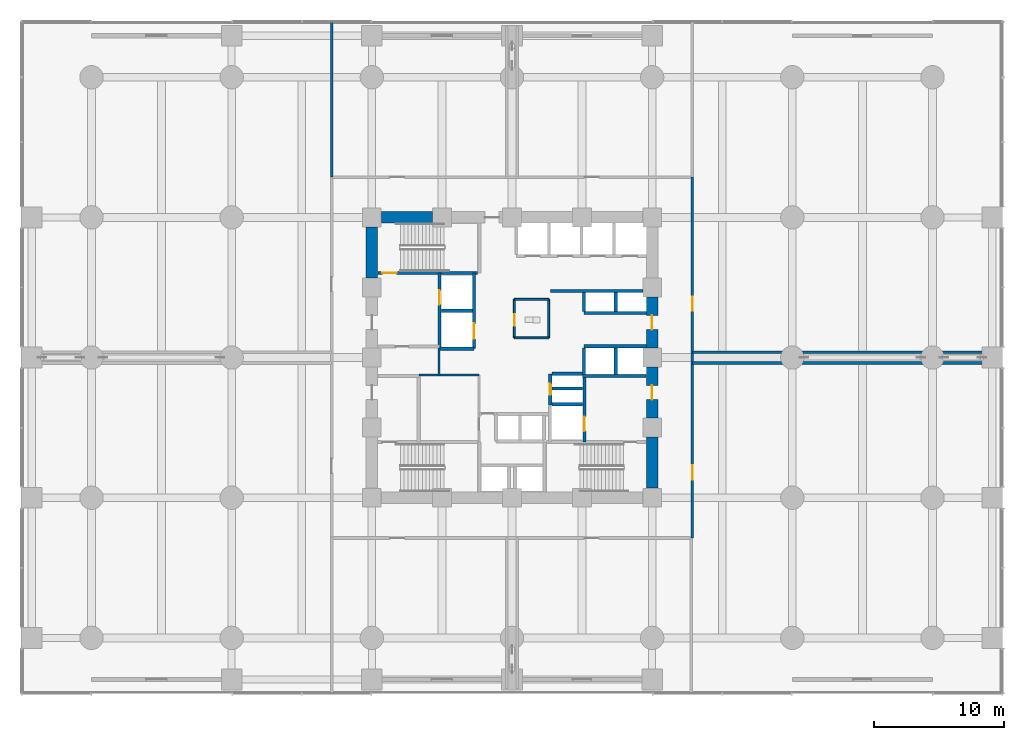
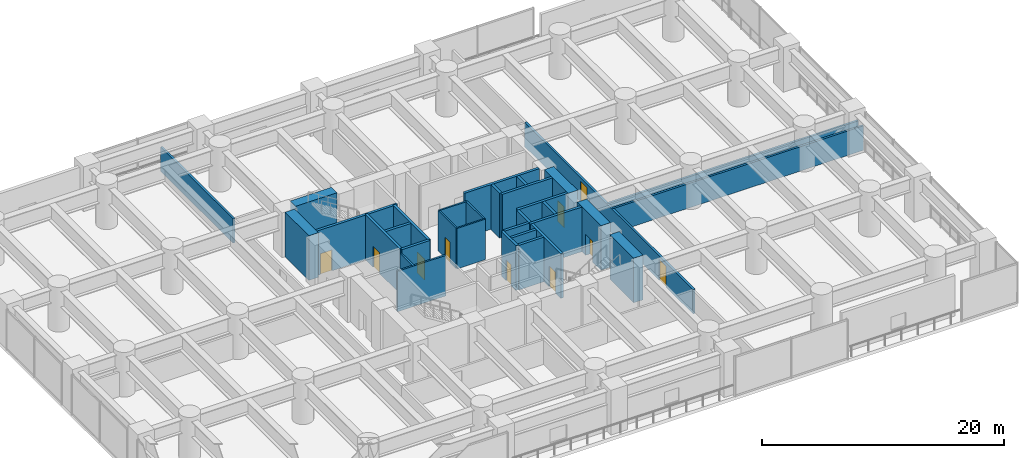
# One storey, part 30 of 37: 33 walls, 10 doors, 10 openings.
"""IFC4 building model written with IfcOpenShell, lengths in metres."""

from ifc_helpers import new_model, si_unit, direction, frame, frame_2d, origin, place, context, subcontext, project, spatial, rectangle, extrude, material, layer, layer_set, type_object, element, fill, save


model = new_model("IFC4")

# Units and contexts
model_context = context("Model", 3, precision=1e-05, world=origin(), true_north=direction((0.0, 1.0)))
body_context = subcontext(model_context, "Body", "Model", "MODEL_VIEW")
ifc_project = project(units=[si_unit("LENGTHUNIT", "METRE"), si_unit("AREAUNIT", "SQUARE_METRE"), si_unit("VOLUMEUNIT", "CUBIC_METRE"), si_unit("PLANEANGLEUNIT", "RADIAN"), si_unit("MASSUNIT", "GRAM", prefix="KILO")], contexts=[model_context])

# Site, building, storey
site_placement = place(None, origin())
site = spatial("IfcSite", under=ifc_project, at=site_placement, CompositionType="ELEMENT")
building_placement = place(site_placement, origin())
building = spatial("IfcBuilding", under=site, at=building_placement, Name="Surkhivell Harbour Commons", CompositionType="ELEMENT")
storey_placement = place(building_placement, frame((0.0, 0.0, 18.0)))
storey = spatial("IfcBuildingStorey", under=building, at=storey_placement, Name="L04", CompositionType="ELEMENT", Elevation=18.0)

# Walls
ifc_material_1 = material(Name="Concrete C80/95", Category="concrete")
ifc_layer_1 = layer(ifc_material_1, 0.89990234375)
ifc_layer_set_1 = layer_set([ifc_layer_1], Name="Concrete C80/95")
wall_type_1 = type_object("IfcWallType", Name="WAL-CORE-900", PredefinedType="SHEAR", material=ifc_layer_set_1)
for number, where, z_axis, x_axis, name in (
    (1, (-10.06494140625, 10.800048828125, 0.0), (0.0, 0.0, 1.0), (1.0, 0.0, 0.0), "L04 Core Shear Wall North 1"),
    (2, (10.800048828125, -10.06494140625, 0.0), (0.0, 0.0, 1.0), (0.0, 1.0, 0.0), "L04 Core Shear Wall East 1"),
):
    element("IfcWall", number, at=place(storey_placement, frame(where, z_axis=z_axis, x_axis=x_axis)), inside=storey, type_object=wall_type_1, Name=name, PredefinedType="SHEAR", context=body_context, shape_type="SweptSolid", body=[
        extrude(rectangle(XDim=3.929931640625, YDim=0.89990234375, at=frame_2d((1.96484375, 0.0))), origin(), (0.0, 0.0, 1.0), 4.5),
    ])

# Wall, opening, door
wall_1_placement = place(storey_placement, frame((10.800048828125, -4.6650390625, 0.0), z_axis=(0.0, 0.0, 1.0), x_axis=(0.0, 1.0, 0.0)))
wall_1 = element("IfcWall", 3, at=wall_1_placement, inside=storey, type_object=wall_type_1, Name="L04 Core Shear Wall East 2", PredefinedType="SHEAR", context=body_context, shape_type="SweptSolid", body=[
    extrude(rectangle(XDim=3.929931640625, YDim=0.89990234375, at=frame_2d((1.96484375, 0.0))), origin(), (0.0, 0.0, 1.0), 4.5),
])
opening_1_placement = place(wall_1_placement, frame((1.4150390625, 0.0, 0.0)))
opening_1 = element("IfcOpeningElement", 4, at=opening_1_placement, cuts=wall_1, Name="Opening ID-1", PredefinedType="OPENING", context=body_context, shape_type="SweptSolid", body=[
    extrude(rectangle(XDim=1.10009765625, YDim=2.10009765625, at=frame_2d((0.550048828125, 1.050048828125))), frame((0.0, 0.4599609375, 0.0), z_axis=(0.0, -1.0, 0.0), x_axis=(1.0, 0.0, 0.0)), (0.0, 0.0, 1.0), 0.919921875),
])
ifc_material_2 = material(Name="Hardwood-veneered fire-rated door leaf", Category="wood")
door_type_1 = type_object("IfcDoorType", Name="DOR-FD120-1100", OperationType="NOTDEFINED", PredefinedType="DOOR", material=ifc_material_2)
door_1_placement = place(opening_1_placement, origin())
door_1 = element("IfcDoor", 5, at=door_1_placement, inside=storey, type_object=door_type_1, Name="L04 Firefighting Lobby 2 Corridor Door", OperationType="SINGLE_SWING_RIGHT", OverallHeight=2.10009765625, OverallWidth=1.10009765625, PredefinedType="DOOR", context=body_context, shape_type="SweptSolid", body=[
    extrude(rectangle(XDim=1.10009765625, YDim=2.10009765625, at=frame_2d((0.550048828125, 1.050048828125))), frame((0.0, 0.02490234375, 0.0), z_axis=(0.0, -1.0, 0.0), x_axis=(1.0, 0.0, 0.0)), (0.0, 0.0, 1.0), 0.050048828125),
])
fill(opening_1, door_1)

wall_2_placement = place(storey_placement, frame((10.800048828125, 0.735107421875, 0.0), z_axis=(0.0, 0.0, 1.0), x_axis=(0.0, 1.0, 0.0)))
wall_2 = element("IfcWall", 6, at=wall_2_placement, inside=storey, type_object=wall_type_1, Name="L04 Core Shear Wall East 3", PredefinedType="SHEAR", context=body_context, shape_type="SweptSolid", body=[
    extrude(rectangle(XDim=3.929931640625, YDim=0.89990234375, at=frame_2d((1.96484375, 0.0))), origin(), (0.0, 0.0, 1.0), 4.5),
])
opening_2_placement = place(wall_2_placement, frame((1.4150390625, 0.0, 0.0)))
opening_2 = element("IfcOpeningElement", 7, at=opening_2_placement, cuts=wall_2, Name="Opening ID-2", PredefinedType="OPENING", context=body_context, shape_type="SweptSolid", body=[
    extrude(rectangle(XDim=1.10009765625, YDim=2.10009765625, at=frame_2d((0.550048828125, 1.050048828125))), frame((0.0, 0.4599609375, 0.0), z_axis=(0.0, -1.0, 0.0), x_axis=(1.0, 0.0, 0.0)), (0.0, 0.0, 1.0), 0.919921875),
])
door_type_2 = type_object("IfcDoorType", Name="DOR-FD60-1100", OperationType="NOTDEFINED", PredefinedType="DOOR", material=ifc_material_2)
door_2_placement = place(opening_2_placement, origin())
door_2 = element("IfcDoor", 8, at=door_2_placement, inside=storey, type_object=door_type_2, Name="L04 Mid-Rise Lobby East Door", OperationType="SINGLE_SWING_LEFT", OverallHeight=2.10009765625, OverallWidth=1.10009765625, PredefinedType="DOOR", context=body_context, shape_type="SweptSolid", body=[
    extrude(rectangle(XDim=1.10009765625, YDim=2.10009765625, at=frame_2d((0.550048828125, 1.050048828125))), frame((0.0, 0.02490234375, 0.0), z_axis=(0.0, -1.0, 0.0), x_axis=(1.0, 0.0, 0.0)), (0.0, 0.0, 1.0), 0.050048828125),
])
fill(opening_2, door_2)

# Walls
wall_3_placement = place(storey_placement, frame((-10.800048828125, 6.135009765625, 0.0), z_axis=(0.0, 0.0, 1.0), x_axis=(0.0, 1.0, 0.0)))
element("IfcWall", 9, at=wall_3_placement, inside=storey, type_object=wall_type_1, Name="L04 Core Shear Wall West 4", PredefinedType="SHEAR", context=body_context, shape_type="SweptSolid", body=[
    extrude(rectangle(XDim=3.929931640625, YDim=0.89990234375, at=frame_2d((1.96484375, 0.0))), origin(), (0.0, 0.0, 1.0), 4.5),
])
ifc_material_3 = material(Name="Twin-stud acoustic fireboard partition", Category="other")
ifc_layer_2 = layer(ifc_material_3, 0.14990234375)
ifc_layer_set_2 = layer_set([ifc_layer_2], Name="Twin-stud acoustic fireboard partition")
wall_type_2 = type_object("IfcWallType", Name="WAL-INT-150", PredefinedType="PARTITIONING", material=ifc_layer_set_2)
wall_4_placement = place(storey_placement, frame((2.820068359375, 1.52001953125, 0.0), z_axis=(0.0, 0.0, 1.0), x_axis=(0.0, 1.0, 0.0)))
element("IfcWall", 10, at=wall_4_placement, inside=storey, type_object=wall_type_2, Name="L04 Core Accessible WC East Wall", PredefinedType="PARTITIONING", context=body_context, shape_type="SweptSolid", body=[
    extrude(rectangle(XDim=2.9599609375, YDim=0.14990234375, at=frame_2d((1.47998046875, 0.0))), origin(), (0.0, 0.0, 1.0), 4.080078125),
])
for number, where, z_axis, x_axis, name in (
    (11, (0.179931640625, 4.47998046875, 0.0), (0.0, 0.0, 1.0), (1.0, 0.0, 0.0), "L04 Core Accessible WC North Wall"),
    (12, (0.179931640625, 1.52001953125, 0.0), (0.0, 0.0, 1.0), (1.0, 0.0, 0.0), "L04 Core Accessible WC South Wall"),
):
    element("IfcWall", number, at=place(storey_placement, frame(where, z_axis=z_axis, x_axis=x_axis)), inside=storey, type_object=wall_type_2, Name=name, PredefinedType="PARTITIONING", context=body_context, shape_type="SweptSolid", body=[
        extrude(rectangle(XDim=2.670166015625, YDim=0.14990234375, at=frame_2d((1.3349609375, 0.0))), origin(), (0.0, 0.0, 1.0), 4.080078125),
    ])

# Wall, opening, door
wall_5_placement = place(storey_placement, frame((0.179931640625, 1.52001953125, 0.0), z_axis=(0.0, 0.0, 1.0), x_axis=(0.0, 1.0, 0.0)))
wall_5 = element("IfcWall", 13, at=wall_5_placement, inside=storey, type_object=wall_type_2, Name="L04 Core Accessible WC West Wall", PredefinedType="PARTITIONING", context=body_context, shape_type="SweptSolid", body=[
    extrude(rectangle(XDim=2.9599609375, YDim=0.14990234375, at=frame_2d((1.47998046875, 0.0))), origin(), (0.0, 0.0, 1.0), 4.080078125),
])
opening_3_placement = place(wall_5_placement, frame((0.949951171875, 0.0, 0.0)))
opening_3 = element("IfcOpeningElement", 14, at=opening_3_placement, cuts=wall_5, Name="Opening ID-6", PredefinedType="OPENING", context=body_context, shape_type="SweptSolid", body=[
    extrude(rectangle(XDim=0.85009765625, YDim=2.10009765625, at=frame_2d((0.425048828125, 1.050048828125))), frame((0.0, 0.0849609375, 0.0), z_axis=(0.0, -1.0, 0.0), x_axis=(1.0, 0.0, 0.0)), (0.0, 0.0, 1.0), 0.169921875),
])
door_type_3 = type_object("IfcDoorType", Name="DOR-FD30-850", OperationType="NOTDEFINED", PredefinedType="DOOR", material=ifc_material_2)
door_3_placement = place(opening_3_placement, origin())
door_3 = element("IfcDoor", 15, at=door_3_placement, inside=storey, type_object=door_type_3, Name="L04 Floor Accessible WC Door", OperationType="SINGLE_SWING_RIGHT", OverallHeight=2.10009765625, OverallWidth=0.85009765625, PredefinedType="DOOR", context=body_context, shape_type="SweptSolid", body=[
    extrude(rectangle(XDim=0.85009765625, YDim=2.10009765625, at=frame_2d((0.425048828125, 1.050048828125))), frame((0.0, 0.02490234375, 0.0), z_axis=(0.0, -1.0, 0.0), x_axis=(1.0, 0.0, 0.0)), (0.0, 0.0, 1.0), 0.050048828125),
])
fill(opening_3, door_3)

# Walls
ifc_material_4 = material(Name="High-density acoustic blockwork fire partition", Category="masonry")
ifc_layer_3 = layer(ifc_material_4, 0.175048828125)
ifc_layer_set_3 = layer_set([ifc_layer_3], Name="High-density acoustic blockwork fire partition")
wall_type_3 = type_object("IfcWallType", Name="WAL-INT-175", PredefinedType="PARTITIONING", material=ifc_layer_set_3)
wall_6_placement = place(storey_placement, frame((-7.179931640625, -1.35009765625, 0.0), z_axis=(0.0, 0.0, 1.0), x_axis=(1.0, 0.0, 0.0)))
element("IfcWall", 16, at=wall_6_placement, inside=storey, type_object=wall_type_3, Name="L04 Core Service Bay North Wall", PredefinedType="PARTITIONING", context=body_context, shape_type="SweptSolid", body=[
    extrude(rectangle(XDim=4.6298828125, YDim=0.175048828125, at=frame_2d((2.31494140625, 0.0))), origin(), (0.0, 0.0, 1.0), 4.080078125),
])
wall_7_placement = place(storey_placement, frame((-5.6201171875, -1.419921875, 0.0), z_axis=(0.0, 0.0, 1.0), x_axis=(0.0, 1.0, 0.0)))
element("IfcWall", 17, at=wall_7_placement, inside=storey, type_object=wall_type_3, Name="L04 West Core Bay East Wall", PredefinedType="PARTITIONING", context=body_context, shape_type="SweptSolid", body=[
    extrude(rectangle(XDim=2.139892578125, YDim=0.175048828125, at=frame_2d((1.06982421875, 0.0))), origin(), (0.0, 0.0, 1.0), 4.080078125),
])
ifc_material_5 = material(Name="Autoclaved aerated concrete blockwork and fire plaster", Category="masonry")
ifc_layer_4 = layer(ifc_material_5, 0.199951171875)
ifc_layer_set_4 = layer_set([ifc_layer_4], Name="Autoclaved aerated concrete blockwork and fire plaster")
wall_type_4 = type_object("IfcWallType", Name="WAL-INT-200", PredefinedType="PARTITIONING", material=ifc_layer_set_4)
for number, where, z_axis, x_axis, name in (
    (18, (13.89990234375, 0.419921875, 0.0), (0.0, 0.0, 1.0), (1.0, 0.0, 0.0), "L04 Transfer Truss East Casing Wall"),
    (19, (13.89990234375, -0.419921875, 0.0), (0.0, 0.0, 1.0), (1.0, 0.0, 0.0), "L04 Transfer Truss East Casing Wall"),
):
    element("IfcWall", number, at=place(storey_placement, frame(where, z_axis=z_axis, x_axis=x_axis)), inside=storey, type_object=wall_type_4, Name=name, PredefinedType="PARTITIONING", context=body_context, shape_type="SweptSolid", body=[
        extrude(rectangle(XDim=23.860107421875, YDim=0.199951171875, at=frame_2d((11.93017578125, 0.0))), origin(), (0.0, 0.0, 1.0), 2.4599609375),
    ])

# Wall, openings, doors
wall_8_placement = place(storey_placement, frame((13.89990234375, -13.89990234375, 0.0), z_axis=(0.0, 0.0, 1.0), x_axis=(0.0, 1.0, 0.0)))
wall_8 = element("IfcWall", 20, at=wall_8_placement, inside=storey, type_object=wall_type_4, Name="L04 Corridor East Wall", PredefinedType="PARTITIONING", context=body_context, shape_type="SweptSolid", body=[
    extrude(rectangle(XDim=27.7998046875, YDim=0.199951171875, at=frame_2d((13.89990234375, 0.0))), origin(), (0.0, 0.0, 1.0), 2.4599609375),
])
opening_4_placement = place(wall_8_placement, frame((17.5, 0.0, 0.0)))
opening_4 = element("IfcOpeningElement", 21, at=opening_4_placement, cuts=wall_8, Name="Opening ID-2", PredefinedType="OPENING", context=body_context, shape_type="SweptSolid", body=[
    extrude(rectangle(XDim=1.10009765625, YDim=2.10009765625, at=frame_2d((0.550048828125, 1.050048828125))), frame((0.0, 0.10986328125, 0.0), z_axis=(0.0, -1.0, 0.0), x_axis=(1.0, 0.0, 0.0)), (0.0, 0.0, 1.0), 0.219970703125),
])
opening_5_placement = place(wall_8_placement, frame((4.5, 0.0, 0.0)))
opening_5 = element("IfcOpeningElement", 22, at=opening_5_placement, cuts=wall_8, Name="Opening ID-2", PredefinedType="OPENING", context=body_context, shape_type="SweptSolid", body=[
    extrude(rectangle(XDim=1.10009765625, YDim=2.10009765625, at=frame_2d((0.550048828125, 1.050048828125))), frame((0.0, 0.10986328125, 0.0), z_axis=(0.0, -1.0, 0.0), x_axis=(1.0, 0.0, 0.0)), (0.0, 0.0, 1.0), 0.219970703125),
])
door_4_placement = place(opening_4_placement, origin())
door_4 = element("IfcDoor", 23, at=door_4_placement, inside=storey, type_object=door_type_2, Name="L04 East-Upper Electrical Plant Gallery Door", OperationType="SINGLE_SWING_RIGHT", OverallHeight=2.10009765625, OverallWidth=1.10009765625, PredefinedType="DOOR", context=body_context, shape_type="SweptSolid", body=[
    extrude(rectangle(XDim=1.10009765625, YDim=2.10009765625, at=frame_2d((0.550048828125, 1.050048828125))), frame((0.0, 0.02490234375, 0.0), z_axis=(0.0, -1.0, 0.0), x_axis=(1.0, 0.0, 0.0)), (0.0, 0.0, 1.0), 0.050048828125),
])
fill(opening_4, door_4)
door_5_placement = place(opening_5_placement, origin())
door_5 = element("IfcDoor", 24, at=door_5_placement, inside=storey, type_object=door_type_2, Name="L04 East-Lower Electrical Plant Gallery Door", OperationType="SINGLE_SWING_LEFT", OverallHeight=2.10009765625, OverallWidth=1.10009765625, PredefinedType="DOOR", context=body_context, shape_type="SweptSolid", body=[
    extrude(rectangle(XDim=1.10009765625, YDim=2.10009765625, at=frame_2d((0.550048828125, 1.050048828125))), frame((0.0, 0.02490234375, 0.0), z_axis=(0.0, -1.0, 0.0), x_axis=(1.0, 0.0, 0.0)), (0.0, 0.0, 1.0), 0.050048828125),
])
fill(opening_5, door_5)

# Wall
wall_9_placement = place(storey_placement, frame((-13.89990234375, 13.89990234375, 0.0), z_axis=(0.0, 0.0, 1.0), x_axis=(0.0, 1.0, 0.0)))
element("IfcWall", 25, at=wall_9_placement, inside=storey, type_object=wall_type_4, Name="L04 Corner NW Divider", PredefinedType="PARTITIONING", context=body_context, shape_type="SweptSolid", body=[
    extrude(rectangle(XDim=11.960205078125, YDim=0.199951171875, at=frame_2d((5.97998046875, 0.0))), origin(), (0.0, 0.0, 1.0), 2.4599609375),
])

# Wall, opening, door
ifc_material_6 = material(Name="Concrete C50/60", Category="concrete")
ifc_layer_5 = layer(ifc_material_6, 0.25)
ifc_layer_set_5 = layer_set([ifc_layer_5], Name="Concrete C50/60")
wall_type_5 = type_object("IfcWallType", Name="WAL-SHAFT-250", PredefinedType="SHEAR", material=ifc_layer_set_5)
wall_10_placement = place(storey_placement, frame((-5.580078125, 0.719970703125, 0.0), z_axis=(0.0, 0.0, 1.0), x_axis=(0.0, 1.0, 0.0)))
wall_10 = element("IfcWall", 26, at=wall_10_placement, inside=storey, type_object=wall_type_5, Name="L04 Firefighting Lobby 1 East Shaft Wall", PredefinedType="SHEAR", context=body_context, shape_type="SweptSolid", body=[
    extrude(rectangle(XDim=5.7900390625, YDim=0.25, at=frame_2d((2.89501953125, 0.0))), origin(), (0.0, 0.0, 1.0), 4.5),
])
opening_6_placement = place(wall_10_placement, frame((3.35009765625, 0.0, 0.0)))
opening_6 = element("IfcOpeningElement", 27, at=opening_6_placement, cuts=wall_10, Name="Opening LD-1", PredefinedType="OPENING", context=body_context, shape_type="SweptSolid", body=[
    extrude(rectangle(XDim=1.10009765625, YDim=2.10009765625, at=frame_2d((0.550048828125, 1.050048828125))), frame((0.0, 0.135009765625, 0.0), z_axis=(0.0, -1.0, 0.0), x_axis=(1.0, 0.0, 0.0)), (0.0, 0.0, 1.0), 0.27001953125),
])
ifc_material_7 = material(Name="Brushed stainless steel S355", Category="steel")
door_type_4 = type_object("IfcDoorType", Name="DOR-LD-1100", OperationType="SLIDING_TO_LEFT", PredefinedType="DOOR", material=ifc_material_7)
door_6_placement = place(opening_6_placement, origin())
door_6 = element("IfcDoor", 28, at=door_6_placement, inside=storey, type_object=door_type_4, Name="L04 Lift Landing Door LD-FFL1", OperationType="SLIDING_TO_LEFT", OverallHeight=2.10009765625, OverallWidth=1.10009765625, PredefinedType="DOOR", context=body_context, shape_type="SweptSolid", body=[
    extrude(rectangle(XDim=1.10009765625, YDim=2.10009765625, at=frame_2d((0.550048828125, 1.050048828125))), frame((0.0, 0.02490234375, 0.0), z_axis=(0.0, -1.0, 0.0), x_axis=(1.0, 0.0, 0.0)), (0.0, 0.0, 1.0), 0.050048828125),
])
fill(opening_6, door_6)

# Walls
wall_11_placement = place(storey_placement, frame((5.43994140625, -1.419921875, 0.0), z_axis=(0.0, 0.0, 1.0), x_axis=(1.0, 0.0, 0.0)))
element("IfcWall", 29, at=wall_11_placement, inside=storey, type_object=wall_type_5, Name="L04 Firefighting Lobby 2 North Wall", PredefinedType="SHEAR", context=body_context, shape_type="SweptSolid", body=[
    extrude(rectangle(XDim=4.900146484375, YDim=0.25, at=frame_2d((2.4501953125, 0.0))), origin(), (0.0, 0.0, 1.0), 4.5),
])
wall_12_placement = place(storey_placement, frame((3.080078125, -3.60009765625, 0.0), z_axis=(0.0, 0.0, 1.0), x_axis=(1.0, 0.0, 0.0)))
element("IfcWall", 30, at=wall_12_placement, inside=storey, type_object=wall_type_5, Name="L04 FFL2 North Shaft Wall", PredefinedType="SHEAR", context=body_context, shape_type="SweptSolid", body=[
    extrude(rectangle(XDim=2.369873046875, YDim=0.25, at=frame_2d((1.18505859375, 0.0))), origin(), (0.0, 0.0, 1.0), 4.5),
])

# Wall, opening, door
wall_13_placement = place(storey_placement, frame((5.580078125, -6.510009765625, 0.0), z_axis=(0.0, 0.0, 1.0), x_axis=(0.0, 1.0, 0.0)))
wall_13 = element("IfcWall", 31, at=wall_13_placement, inside=storey, type_object=wall_type_5, Name="L04 Firefighting Lobby 2 West Shaft Wall", PredefinedType="SHEAR", context=body_context, shape_type="SweptSolid", body=[
    extrude(rectangle(XDim=5.090087890625, YDim=0.25, at=frame_2d((2.544921875, 0.0))), origin(), (0.0, 0.0, 1.0), 4.5),
])
opening_7_placement = place(wall_13_placement, frame((0.85009765625, 0.0, 0.0)))
opening_7 = element("IfcOpeningElement", 32, at=opening_7_placement, cuts=wall_13, Name="Opening LD-1", PredefinedType="OPENING", context=body_context, shape_type="SweptSolid", body=[
    extrude(rectangle(XDim=1.10009765625, YDim=2.10009765625, at=frame_2d((0.550048828125, 1.050048828125))), frame((0.0, 0.135009765625, 0.0), z_axis=(0.0, -1.0, 0.0), x_axis=(1.0, 0.0, 0.0)), (0.0, 0.0, 1.0), 0.27001953125),
])
door_7_placement = place(opening_7_placement, origin())
door_7 = element("IfcDoor", 33, at=door_7_placement, inside=storey, type_object=door_type_4, Name="L04 Lift Landing Door LD-FFL2", OperationType="SLIDING_TO_RIGHT", OverallHeight=2.10009765625, OverallWidth=1.10009765625, PredefinedType="DOOR", context=body_context, shape_type="SweptSolid", body=[
    extrude(rectangle(XDim=1.10009765625, YDim=2.10009765625, at=frame_2d((0.550048828125, 1.050048828125))), frame((0.0, 0.02490234375, 0.0), z_axis=(0.0, -1.0, 0.0), x_axis=(1.0, 0.0, 0.0)), (0.0, 0.0, 1.0), 0.050048828125),
])
fill(opening_7, door_7)

# Walls
wall_14_placement = place(storey_placement, frame((2.949951171875, 5.1201171875, 0.0), z_axis=(0.0, 0.0, 1.0), x_axis=(1.0, 0.0, 0.0)))
element("IfcWall", 34, at=wall_14_placement, inside=storey, type_object=wall_type_5, Name="L04 Low-Rise Lobby South Wall", PredefinedType="SHEAR", context=body_context, shape_type="SweptSolid", body=[
    extrude(rectangle(XDim=7.125, YDim=0.25, at=frame_2d((3.5625, 0.0))), origin(), (0.0, 0.0, 1.0), 4.5),
])
for number, where, z_axis, x_axis, name in (
    (35, (5.550048828125, 3.550048828125, 0.0), (0.0, 0.0, 1.0), (0.0, 1.0, 0.0), "L04 Mid-Rise Shaft Side Wall N"),
    (36, (8.0, 3.550048828125, 0.0), (0.0, 0.0, 1.0), (0.0, 1.0, 0.0), "L04 Mid-Rise Shaft Side Wall N"),
):
    element("IfcWall", number, at=place(storey_placement, frame(where, z_axis=z_axis, x_axis=x_axis)), inside=storey, type_object=wall_type_5, Name=name, PredefinedType="SHEAR", context=body_context, shape_type="SweptSolid", body=[
        extrude(rectangle(XDim=1.449951171875, YDim=0.25, at=frame_2d((0.72509765625, 0.0))), origin(), (0.0, 0.0, 1.0), 4.5),
    ])
for number, where, z_axis, x_axis, name in (
    (37, (5.550048828125, -1.300048828125, 0.0), (0.0, 0.0, 1.0), (0.0, 1.0, 0.0), "L04 Mid-Rise Shaft Side Wall S"),
    (38, (8.0, -1.300048828125, 0.0), (0.0, 0.0, 1.0), (0.0, 1.0, 0.0), "L04 Mid-Rise Shaft Side Wall S"),
):
    element("IfcWall", number, at=place(storey_placement, frame(where, z_axis=z_axis, x_axis=x_axis)), inside=storey, type_object=wall_type_5, Name=name, PredefinedType="SHEAR", context=body_context, shape_type="SweptSolid", body=[
        extrude(rectangle(XDim=2.0400390625, YDim=0.25, at=frame_2d((1.02001953125, 0.0))), origin(), (0.0, 0.0, 1.0), 4.5),
    ])
for number, where, z_axis, x_axis, name in (
    (39, (5.550048828125, 3.429931640625, 0.0), (0.0, 0.0, 1.0), (1.0, 0.0, 0.0), "L04 Mid-Rise North Front Shaft Wall"),
    (40, (5.550048828125, 0.8701171875, 0.0), (0.0, 0.0, 1.0), (1.0, 0.0, 0.0), "L04 Mid-Rise South Front Shaft Wall"),
):
    element("IfcWall", number, at=place(storey_placement, frame(where, z_axis=z_axis, x_axis=x_axis)), inside=storey, type_object=wall_type_5, Name=name, PredefinedType="SHEAR", context=body_context, shape_type="SweptSolid", body=[
        extrude(rectangle(XDim=4.800048828125, YDim=0.25, at=frame_2d((2.39990234375, 0.0))), origin(), (0.0, 0.0, 1.0), 4.5),
    ])
for number, where, z_axis, x_axis, name in (
    (41, (3.080078125, -2.3798828125, 0.0), (0.0, 0.0, 1.0), (1.0, 0.0, 0.0), "L04 Riser Divider Wall"),
    (42, (3.080078125, -1.25, 0.0), (0.0, 0.0, 1.0), (1.0, 0.0, 0.0), "L04 Riser North Wall"),
):
    element("IfcWall", number, at=place(storey_placement, frame(where, z_axis=z_axis, x_axis=x_axis)), inside=storey, type_object=wall_type_5, Name=name, PredefinedType="SHEAR", context=body_context, shape_type="SweptSolid", body=[
        extrude(rectangle(XDim=2.369873046875, YDim=0.25, at=frame_2d((1.18505859375, 0.0))), origin(), (0.0, 0.0, 1.0), 4.5),
    ])

# Wall, opening, door
wall_15_placement = place(storey_placement, frame((2.949951171875, -3.64990234375, 0.0), z_axis=(0.0, 0.0, 1.0), x_axis=(0.0, 1.0, 0.0)))
wall_15 = element("IfcWall", 43, at=wall_15_placement, inside=storey, type_object=wall_type_5, Name="L04 Riser Shaft West Wall", PredefinedType="SHEAR", context=body_context, shape_type="SweptSolid", body=[
    extrude(rectangle(XDim=2.39990234375, YDim=0.25, at=frame_2d((1.199951171875, 0.0))), origin(), (0.0, 0.0, 1.0), 4.5),
])
opening_8_placement = place(wall_15_placement, frame((0.77490234375, 0.0, 0.0)))
opening_8 = element("IfcOpeningElement", 44, at=opening_8_placement, cuts=wall_15, Name="Opening ID-6", PredefinedType="OPENING", context=body_context, shape_type="SweptSolid", body=[
    extrude(rectangle(XDim=0.85009765625, YDim=2.10009765625, at=frame_2d((0.425048828125, 1.050048828125))), frame((0.0, 0.135009765625, 0.0), z_axis=(0.0, -1.0, 0.0), x_axis=(1.0, 0.0, 0.0)), (0.0, 0.0, 1.0), 0.27001953125),
])
door_8_placement = place(opening_8_placement, origin())
door_8 = element("IfcDoor", 45, at=door_8_placement, inside=storey, type_object=door_type_3, Name="L04 Electrical Riser Access Door", OperationType="SINGLE_SWING_LEFT", OverallHeight=2.10009765625, OverallWidth=0.85009765625, PredefinedType="DOOR", context=body_context, shape_type="SweptSolid", body=[
    extrude(rectangle(XDim=0.85009765625, YDim=2.10009765625, at=frame_2d((0.425048828125, 1.050048828125))), frame((0.0, 0.02490234375, 0.0), z_axis=(0.0, -1.0, 0.0), x_axis=(1.0, 0.0, 0.0)), (0.0, 0.0, 1.0), 0.050048828125),
])
fill(opening_8, door_8)

wall_16_placement = place(storey_placement, frame((-10.340087890625, 6.510009765625, 0.0), z_axis=(0.0, 0.0, 1.0), x_axis=(1.0, 0.0, 0.0)))
wall_16 = element("IfcWall", 46, at=wall_16_placement, inside=storey, type_object=wall_type_5, Name="L04 Stair ST1 South Shear Wall", PredefinedType="SHEAR", context=body_context, shape_type="SweptSolid", body=[
    extrude(rectangle(XDim=7.7001953125, YDim=0.25, at=frame_2d((3.85009765625, 0.0))), origin(), (0.0, 0.0, 1.0), 4.5),
])
opening_9_placement = place(wall_16_placement, frame((0.35009765625, 0.0, 0.0)))
opening_9 = element("IfcOpeningElement", 47, at=opening_9_placement, cuts=wall_16, Name="Opening ID-2", PredefinedType="OPENING", context=body_context, shape_type="SweptSolid", body=[
    extrude(rectangle(XDim=1.10009765625, YDim=2.10009765625, at=frame_2d((0.550048828125, 1.050048828125))), frame((0.0, 0.135009765625, 0.0), z_axis=(0.0, -1.0, 0.0), x_axis=(1.0, 0.0, 0.0)), (0.0, 0.0, 1.0), 0.27001953125),
])
door_9_placement = place(opening_9_placement, origin())
door_9 = element("IfcDoor", 48, at=door_9_placement, inside=storey, type_object=door_type_2, Name="L04 Stair ST1 Exit Door", OperationType="SINGLE_SWING_LEFT", OverallHeight=2.10009765625, OverallWidth=1.10009765625, PredefinedType="DOOR", context=body_context, shape_type="SweptSolid", body=[
    extrude(rectangle(XDim=1.10009765625, YDim=2.10009765625, at=frame_2d((0.550048828125, 1.050048828125))), frame((0.0, 0.02490234375, 0.0), z_axis=(0.0, -1.0, 0.0), x_axis=(1.0, 0.0, 0.0)), (0.0, 0.0, 1.0), 0.050048828125),
])
fill(opening_9, door_9)

wall_17_placement = place(storey_placement, frame((-2.929931640625, 0.679931640625, 0.0), z_axis=(0.0, 0.0, 1.0), x_axis=(0.0, 1.0, 0.0)))
wall_17 = element("IfcWall", 49, at=wall_17_placement, inside=storey, type_object=wall_type_5, Name="L04 Service and Fire Lift East Shaft Wall", PredefinedType="SHEAR", context=body_context, shape_type="SweptSolid", body=[
    extrude(rectangle(XDim=5.830078125, YDim=0.25, at=frame_2d((2.9150390625, 0.0))), origin(), (0.0, 0.0, 1.0), 4.5),
])
opening_10_placement = place(wall_17_placement, frame((0.75, 0.0, 0.0)))
opening_10 = element("IfcOpeningElement", 50, at=opening_10_placement, cuts=wall_17, Name="Opening LD-2", PredefinedType="OPENING", context=body_context, shape_type="SweptSolid", body=[
    extrude(rectangle(XDim=1.199951171875, YDim=2.10009765625, at=frame_2d((0.60009765625, 1.050048828125))), frame((0.0, 0.135009765625, 0.0), z_axis=(0.0, -1.0, 0.0), x_axis=(1.0, 0.0, 0.0)), (0.0, 0.0, 1.0), 0.27001953125),
])
door_type_5 = type_object("IfcDoorType", Name="DOR-LD-1200", OperationType="SLIDING_TO_LEFT", PredefinedType="DOOR", material=ifc_material_7)
door_10_placement = place(opening_10_placement, origin())
door_10 = element("IfcDoor", 51, at=door_10_placement, inside=storey, type_object=door_type_5, Name="L04 Lift Landing Door LD-SVL1", OperationType="SLIDING_TO_LEFT", OverallHeight=2.10009765625, OverallWidth=1.199951171875, PredefinedType="DOOR", context=body_context, shape_type="SweptSolid", body=[
    extrude(rectangle(XDim=1.199951171875, YDim=2.10009765625, at=frame_2d((0.60009765625, 1.050048828125))), frame((0.0, 0.02490234375, 0.0), z_axis=(0.0, -1.0, 0.0), x_axis=(1.0, 0.0, 0.0)), (0.0, 0.0, 1.0), 0.050048828125),
])
fill(opening_10, door_10)

# Walls
wall_18_placement = place(storey_placement, frame((-5.449951171875, 3.60009765625, 0.0), z_axis=(0.0, 0.0, 1.0), x_axis=(1.0, 0.0, 0.0)))
element("IfcWall", 52, at=wall_18_placement, inside=storey, type_object=wall_type_5, Name="L04 FFL1/SVL1 Shaft Divider", PredefinedType="SHEAR", context=body_context, shape_type="SweptSolid", body=[
    extrude(rectangle(XDim=2.389892578125, YDim=0.25, at=frame_2d((1.19482421875, 0.0))), origin(), (0.0, 0.0, 1.0), 4.5),
])
wall_19_placement = place(storey_placement, frame((-5.580078125, 0.679931640625, 0.0), z_axis=(0.0, 0.0, 1.0), x_axis=(1.0, 0.0, 0.0)))
element("IfcWall", 53, at=wall_19_placement, inside=storey, type_object=wall_type_5, Name="L04 SVL1 South Shaft Wall", PredefinedType="SHEAR", context=body_context, shape_type="SweptSolid", body=[
    extrude(rectangle(XDim=2.650146484375, YDim=0.25, at=frame_2d((1.3251953125, 0.0))), origin(), (0.0, 0.0, 1.0), 4.5),
])

save(model, "model.ifc")
